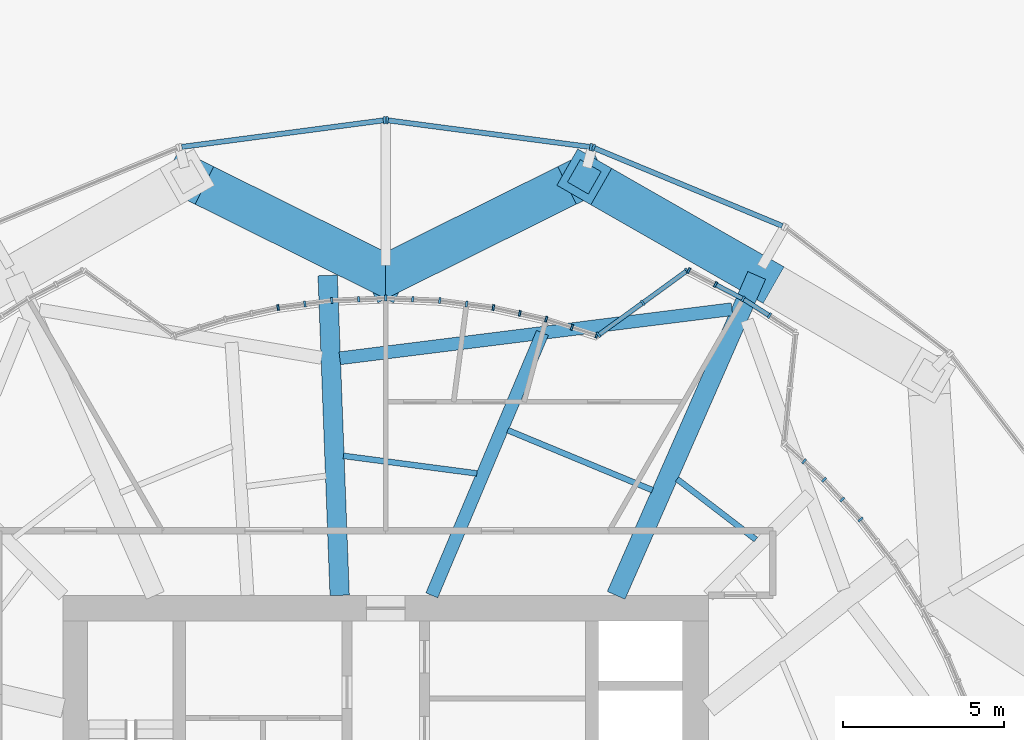
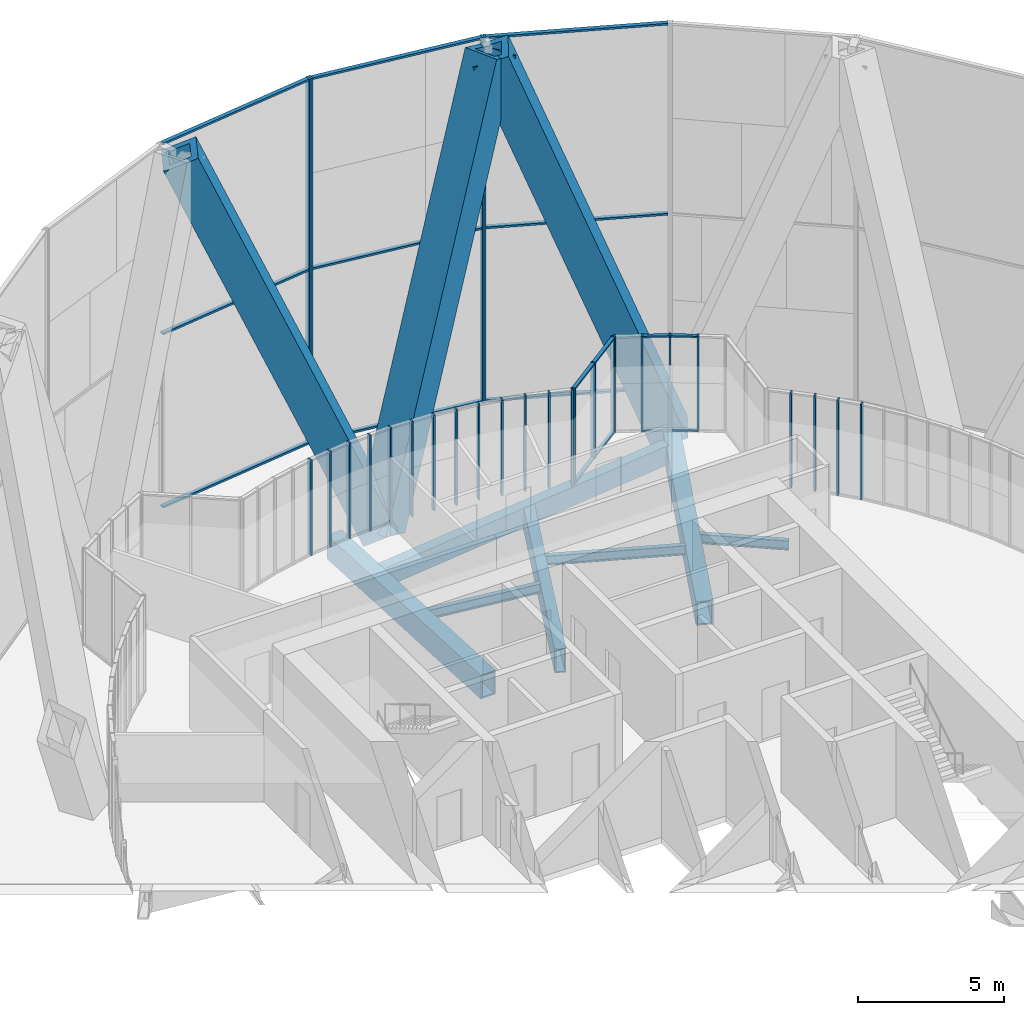
# One storey, part 9 of 27: 48 members, 7 beams, 15 elements without a shape of their own.
"""IFC4 building model written with IfcOpenShell, lengths in metres."""

import ifcopenshell
import ifcopenshell.guid

model = None  # the IFC model being written
_history = None  # IfcOwnerHistory: only IFC2X3 demands one
_inside = {}  # id of a spatial element -> (the spatial element, [elements in it])
_under = {}  # id of a project, library or spatial element -> (it, [spatial elements below it])
_declared = {}  # id of a project -> (the project, [libraries it declares])
_typed = {}  # id of a type object -> (the type object, [elements of that type])
_made_of = {}  # id of a material, layer set ... -> (it, [elements and type objects made of it])


def new_model(schema):
    """Start an empty IFC model of exactly this schema.

    Asked for "IFC4X3", IfcOpenShell would pick the latest addendum, in which some entities
    have other attributes; the version numbers below select the first issue.
    IFC2X3 requires an IfcOwnerHistory on every rooted entity: one is made here for all.
    """
    global model, _history
    if schema == "IFC4X3":
        model = ifcopenshell.file(schema_version=(4, 3, 0, 0))
    else:
        model = ifcopenshell.file(schema=schema)
    _inside.clear()
    _under.clear()
    _declared.clear()
    _typed.clear()
    _made_of.clear()
    _history = None
    if model.schema == "IFC2X3":
        org = make("IfcOrganization", Name="unknown")
        user = make(
            "IfcPersonAndOrganization",
            ThePerson=make("IfcPerson", FamilyName="unknown"),
            TheOrganization=org,
        )
        app = make(
            "IfcApplication",
            ApplicationDeveloper=org,
            Version="unknown",
            ApplicationFullName="unknown",
            ApplicationIdentifier="unknown",
        )
        _history = make(
            "IfcOwnerHistory",
            OwningUser=user,
            OwningApplication=app,
            ChangeAction="ADDED",
            CreationDate=0,
        )
    return model


def make(cls, **values):
    """One entity of the class cls with the attributes given. An attribute that is None is left unset."""
    return model.create_entity(
        cls, **{name: value for name, value in values.items() if value is not None}
    )


def rooted(cls, **values):
    """An entity with a GlobalId (a new one), such as an element, a storey or a relation."""
    return make(cls, GlobalId=ifcopenshell.guid.new(), OwnerHistory=_history, **values)


def si_unit(unit_type, name, prefix=None):
    """IfcSIUnit, for example si_unit("LENGTHUNIT", "METRE", prefix="MILLI")."""
    return make("IfcSIUnit", UnitType=unit_type, Prefix=prefix, Name=name)


def assignment(units):
    """IfcUnitAssignment: the units of a project."""
    return None if units is None else make("IfcUnitAssignment", Units=units)


def point(xyz):
    """IfcCartesianPoint."""
    return None if xyz is None else make("IfcCartesianPoint", Coordinates=xyz)


def direction(xyz):
    """IfcDirection."""
    return None if xyz is None else make("IfcDirection", DirectionRatios=xyz)


def frame(location, z_axis=None, x_axis=None):
    """IfcAxis2Placement3D, a coordinate frame: its origin and axes. An axis left out is left unset."""
    return make(
        "IfcAxis2Placement3D",
        Location=point(location),
        Axis=direction(z_axis),
        RefDirection=direction(x_axis),
    )


def frame_2d(location, x_axis=None):
    """IfcAxis2Placement2D, a coordinate frame in the plane: its origin and x axis."""
    return make(
        "IfcAxis2Placement2D", Location=point(location), RefDirection=direction(x_axis)
    )


def origin():
    """The frame at (0, 0, 0) with its axes left unset."""
    return frame((0.0, 0.0, 0.0))


def origin_2d():
    """The frame at (0, 0) in the plane with its x axis left unset."""
    return frame_2d((0.0, 0.0))


def place(relative_to, where):
    """IfcLocalPlacement: puts the frame where relative to a parent placement (None: the world)."""
    return make(
        "IfcLocalPlacement", PlacementRelTo=relative_to, RelativePlacement=where
    )


def context(
    kind, dimensions, precision=None, world=None, true_north=None, identifier=None
):
    """IfcGeometricRepresentationContext, for example the 3D "Model" context."""
    return make(
        "IfcGeometricRepresentationContext",
        ContextIdentifier=identifier,
        ContextType=kind,
        CoordinateSpaceDimension=dimensions,
        Precision=precision,
        WorldCoordinateSystem=world,
        TrueNorth=true_north,
    )


def subcontext(parent, identifier, kind, view, scale=None):
    """IfcGeometricRepresentationSubContext, for example "Body" below "Model"."""
    return make(
        "IfcGeometricRepresentationSubContext",
        ContextIdentifier=identifier,
        ContextType=kind,
        ParentContext=parent,
        TargetScale=scale,
        TargetView=view,
    )


def project(units=None, contexts=None):
    """IfcProject with its units and contexts."""
    return rooted(
        "IfcProject",
        Name="project",
        RepresentationContexts=contexts,
        UnitsInContext=assignment(units),
    )


def spatial(cls, under=None, at=None, **own):
    """A site, building, storey or space (cls), placed at a placement, below another one or the project."""
    s = rooted(cls, ObjectPlacement=at, **own)
    if under is not None:
        _under.setdefault(under.id(), (under, []))[1].append(s)
    return s


def profile(cls, at=None, kind="AREA", **sizes):
    """A parametric profile (cls). Its sizes go by their IFC names, for example OverallWidth=200.0."""
    return make(cls, ProfileType=kind, Position=at, **sizes)


def rectangle(**sizes):
    """IfcRectangleProfileDef."""
    return profile("IfcRectangleProfileDef", **sizes)


def hollow_rectangle(**sizes):
    """IfcRectangleHollowProfileDef."""
    return profile("IfcRectangleHollowProfileDef", **sizes)


def i_section(**sizes):
    """IfcIShapeProfileDef."""
    return profile("IfcIShapeProfileDef", **sizes)


def extrude(swept, where, along, depth):
    """IfcExtrudedAreaSolid: the profile swept, set in the frame where, extruded along a direction by depth."""
    return make(
        "IfcExtrudedAreaSolid",
        SweptArea=swept,
        Position=where,
        ExtrudedDirection=direction(along),
        Depth=depth,
    )


def shape(context_of_items, identifier, shape_type, items):
    """IfcShapeRepresentation: the items that make up one representation, for example the "Body"."""
    return make(
        "IfcShapeRepresentation",
        ContextOfItems=context_of_items,
        RepresentationIdentifier=identifier,
        RepresentationType=shape_type,
        Items=items,
    )


def material(Name=None, Category=None):
    """IfcMaterial."""
    return make("IfcMaterial", Name=Name, Category=Category)


def material_profile(
    of_material, cross_section, Name=None, Category=None, Priority=None
):
    """IfcMaterialProfile: a cross section and its material."""
    return make(
        "IfcMaterialProfile",
        Name=Name,
        Material=of_material,
        Profile=cross_section,
        Priority=Priority,
        Category=Category,
    )


def profile_set(profiles, Name=None, composite=None):
    """IfcMaterialProfileSet."""
    return make(
        "IfcMaterialProfileSet",
        Name=Name,
        MaterialProfiles=profiles,
        CompositeProfile=composite,
    )


def made_of(thing, what):
    """Note that an element or type object is made of a material, layer set ...; save() writes the relation."""
    if what is not None:
        _made_of.setdefault(what.id(), (what, []))[1].append(thing)
    return thing


def type_object(cls, material=None, **own):
    """A type object (cls), such as IfcWallType, which elements share."""
    return made_of(rooted(cls, **own), material)


def element(
    cls,
    number,
    at=None,
    inside=None,
    cuts=None,
    type_object=None,
    material=None,
    context=None,
    identifier="Body",
    shape_type=None,
    held_by="IfcProductDefinitionShape",
    body=None,
    shapes=None,
    **own,
):
    """One element of the class cls, such as IfcWall. Its Tag is "e" and its number.

    at: its placement. inside: the storey or other place that contains it. cuts: it is an
    opening in that element (IfcRelVoidsElement). A single representation is given by context,
    identifier, shape_type and body (its items); several are given by shapes. held_by: the class
    of the entity that holds the representations. save() writes the other relations.
    """
    e = rooted(cls, Tag="e%d" % number, ObjectPlacement=at, **own)
    if body is not None:
        shapes = [shape(context, identifier, shape_type, body)]
    if shapes is not None:
        e.Representation = make(held_by, Representations=shapes)
    if inside is not None:
        _inside.setdefault(inside.id(), (inside, []))[1].append(e)
    if cuts is not None:
        rooted(
            "IfcRelVoidsElement", RelatingBuildingElement=cuts, RelatedOpeningElement=e
        )
    if type_object is not None:
        _typed.setdefault(type_object.id(), (type_object, []))[1].append(e)
    return made_of(e, material)


def aggregate(whole, parts):
    """IfcRelAggregates: a whole, such as a stair, and the parts it consists of."""
    return rooted("IfcRelAggregates", RelatingObject=whole, RelatedObjects=parts)


def save(model, path):
    """Write the relations noted so far, then the file.

    IfcRelAggregates (storeys below a building ...), IfcRelContainedInSpatialStructure (elements
    in a storey), IfcRelDefinesByType, IfcRelAssociatesMaterial and IfcRelDeclares: one each for
    every whole, place, type object, material and project.
    """
    for whole, parts in _under.values():
        aggregate(whole, parts)
    for where, things in _inside.values():
        rooted(
            "IfcRelContainedInSpatialStructure",
            RelatedElements=things,
            RelatingStructure=where,
        )
    for kind, things in _typed.values():
        rooted("IfcRelDefinesByType", RelatedObjects=things, RelatingType=kind)
    for what, things in _made_of.values():
        rooted("IfcRelAssociatesMaterial", RelatedObjects=things, RelatingMaterial=what)
    for by, libraries in _declared.values():
        rooted("IfcRelDeclares", RelatingContext=by, RelatedDefinitions=libraries)
    model.write(path)


model = new_model("IFC4")

# Units and contexts
model_context = context("Model", 3, precision=1e-05, world=origin(), true_north=direction((0.0, 1.0)))
body_context = subcontext(model_context, "Body", "Model", "MODEL_VIEW")
ifc_project = project(units=[si_unit("LENGTHUNIT", "METRE"), si_unit("AREAUNIT", "SQUARE_METRE"), si_unit("VOLUMEUNIT", "CUBIC_METRE"), si_unit("PLANEANGLEUNIT", "RADIAN"), si_unit("MASSUNIT", "GRAM", prefix="KILO")], contexts=[model_context])

# Site, building, storey
site_placement = place(None, origin())
site = spatial("IfcSite", under=ifc_project, at=site_placement, CompositionType="ELEMENT")
building_placement = place(site_placement, origin())
building = spatial("IfcBuilding", under=site, at=building_placement, Name="Golbaran Civic Tower", CompositionType="ELEMENT")
storey_placement = place(building_placement, frame((0.0, 0.0, 21.0)))
storey = spatial("IfcBuildingStorey", under=building, at=storey_placement, Name="L04", CompositionType="ELEMENT", Elevation=21.0)

# Members
ifc_material_1 = material(Name="Steel S355", Category="steel")
ifc_material_profile_1 = material_profile(ifc_material_1, hollow_rectangle(XDim=1.300048828125, YDim=1.300048828125, WallThickness=0.25, at=origin_2d()), Name="BOX 1300x1300x250")
ifc_profile_set_1 = profile_set([ifc_material_profile_1], Name="Steel S355")
member_type_1 = type_object("IfcMemberType", Name="DIAGRID DIAGONAL BOX 1300x1300x250", PredefinedType="BRACE", material=ifc_profile_set_1)
member_1_placement = place(storey_placement, frame((11.5, 19.918701171875, -0.7099609375), z_axis=(-0.311722757157, 0.178255459424, 0.933302691444), x_axis=(-0.496407983578, -0.868089346692, 0.0)))
element("IfcMember", 1, at=member_1_placement, inside=storey, type_object=member_type_1, Name="Diagonal D00-02R L04-L08", PredefinedType="BRACE", context=body_context, shape_type="SweptSolid", body=[
    extrude(hollow_rectangle(XDim=1.300048828125, YDim=1.300048828125, WallThickness=0.25, at=origin_2d()), origin(), (0.0, 0.0, 1.0), 17.143310546875),
])
for number, where, z_axis, x_axis, name in (
    (2, (0.0, 19.918701171875, -0.7099609375), (-0.353516243024, 0.175489304538, 0.918819770091), (-0.444639890183, -0.895709421664, 0.0), "Diagonal D00-03R L04-L08"),
    (3, (0.0, 19.918701171875, -0.7099609375), (0.353516243024, 0.175489304538, 0.918819770091), (-0.444639890183, 0.895709421664, 0.0), "Diagonal D00-03L L04-L08"),
):
    element("IfcMember", number, at=place(storey_placement, frame(where, z_axis=z_axis, x_axis=x_axis)), inside=storey, type_object=member_type_1, Name=name, PredefinedType="BRACE", context=body_context, shape_type="SweptSolid", body=[
        extrude(hollow_rectangle(XDim=1.300048828125, YDim=1.300048828125, WallThickness=0.25, at=origin_2d()), origin(), (0.0, 0.0, 1.0), 17.41357421875),
    ])

# Beams
ifc_material_profile_2 = material_profile(ifc_material_1, hollow_rectangle(XDim=0.39990234375, YDim=0.800048828125, WallThickness=0.0400390625, at=origin_2d()), Name="BOX 800x400x40")
ifc_profile_set_2 = profile_set([ifc_material_profile_2], Name="Steel S355")
beam_type_1 = type_object("IfcBeamType", Name="EDGE BEAM BOX 800x400x40", PredefinedType="BEAM", material=ifc_profile_set_2)
beam_1_placement = place(storey_placement, frame((10.734375, 18.87158203125, -0.60009765625), z_axis=(-0.992257938652, -0.124194135055, 0.0), x_axis=(0.124194135055, -0.992257938652, 0.0)))
element("IfcBeam", 4, at=beam_1_placement, inside=storey, type_object=beam_type_1, Name="Edge beam 60.00 L04", PredefinedType="BEAM", context=body_context, shape_type="SweptSolid", body=[
    extrude(hollow_rectangle(XDim=0.39990234375, YDim=0.800048828125, WallThickness=0.0400390625, at=origin_2d()), origin(), (0.0, 0.0, 1.0), 12.2529296875),
])
ifc_material_profile_3 = material_profile(ifc_material_1, i_section(OverallWidth=0.179931640625, OverallDepth=0.39990234375, WebThickness=0.008544921875, FlangeThickness=0.013427734375, FilletRadius=0.02099609375, at=origin_2d()), Name="IPE 400")
ifc_profile_set_3 = profile_set([ifc_material_profile_3], Name="Steel S355")
beam_type_2 = type_object("IfcBeamType", Name="FLOOR INFILL BEAM IPE 400", PredefinedType="BEAM", material=ifc_profile_set_3)
beam_2_placement = place(storey_placement, frame((11.47509765625, 11.7294921875, -0.39990234375), z_axis=(-0.793339600956, 0.60877933404, 0.0), x_axis=(-0.60877933404, -0.793339600956, 0.0)))
element("IfcBeam", 5, at=beam_2_placement, inside=storey, type_object=beam_type_2, Name="Infill beam 52.50 L04", PredefinedType="BEAM", context=body_context, shape_type="SweptSolid", body=[
    extrude(i_section(OverallWidth=0.179931640625, OverallDepth=0.39990234375, WebThickness=0.008544921875, FlangeThickness=0.013427734375, FilletRadius=0.02099609375, at=origin_2d()), origin(), (0.0, 0.0, 1.0), 3.07958984375),
])
beam_3_placement = place(storey_placement, frame((8.269775390625, 13.261474609375, -0.39990234375), z_axis=(-0.92386916768, 0.382708454323, 0.0), x_axis=(-0.382708454323, -0.92386916768, 0.0)))
element("IfcBeam", 6, at=beam_3_placement, inside=storey, type_object=beam_type_2, Name="Infill beam 67.50 L04", PredefinedType="BEAM", context=body_context, shape_type="SweptSolid", body=[
    extrude(i_section(OverallWidth=0.179931640625, OverallDepth=0.39990234375, WebThickness=0.008544921875, FlangeThickness=0.013427734375, FilletRadius=0.02099609375, at=origin_2d()), origin(), (0.0, 0.0, 1.0), 4.8564453125),
])
beam_4_placement = place(storey_placement, frame((2.8271484375, 13.77978515625, -0.39990234375), z_axis=(-0.991445731061, 0.130519586121, 0.0), x_axis=(-0.130519586121, -0.991445731061, 0.0)))
element("IfcBeam", 7, at=beam_4_placement, inside=storey, type_object=beam_type_2, Name="Infill beam 82.50 L04", PredefinedType="BEAM", context=body_context, shape_type="SweptSolid", body=[
    extrude(i_section(OverallWidth=0.179931640625, OverallDepth=0.39990234375, WebThickness=0.008544921875, FlangeThickness=0.013427734375, FilletRadius=0.02099609375, at=origin_2d()), origin(), (0.0, 0.0, 1.0), 4.173095703125),
])

# Curtain wall, member
ifc_material_2 = material(Name="Aluminium and glass", Category="aluminium")
curtain_wall_type_1 = type_object("IfcCurtainWallType", Name="INNER SKIN CURTAIN WALL", PredefinedType="NOTDEFINED", material=ifc_material_2)
curtain_wall_1_placement = place(storey_placement, origin())
curtain_wall_1 = element("IfcCurtainWall", 8, at=curtain_wall_1_placement, inside=storey, type_object=curtain_wall_type_1, Name="Inner skin L04 facet 8 CW1", ObjectType="INNER SKIN", PredefinedType="USERDEFINED")
ifc_material_3 = material(Name="Aluminium", Category="aluminium")
ifc_material_profile_4 = material_profile(ifc_material_3, rectangle(XDim=0.179931640625, YDim=0.06494140625, at=origin_2d()), Name="INNER SKIN CURTAIN WALL MULLION")
ifc_profile_set_4 = profile_set([ifc_material_profile_4], Name="Aluminium")
member_type_2 = type_object("IfcMemberType", Name="INNER SKIN CURTAIN WALL MULLION", PredefinedType="MULLION", material=ifc_profile_set_4)
member_2_placement = place(storey_placement, frame((14.719482421875, 12.35107421875, 0.0), z_axis=(0.0, 0.0, 1.0), x_axis=(-0.766044443186, -0.642787609606, 0.0)))
member_2 = element("IfcMember", 9, at=member_2_placement, type_object=member_type_2, Name="CW1 mullion 3", PredefinedType="MULLION", context=body_context, shape_type="SweptSolid", body=[
    extrude(rectangle(XDim=0.179931640625, YDim=0.06494140625, at=origin_2d()), origin(), (0.0, 0.0, 1.0), 4.0),
])
aggregate(curtain_wall_1, [member_2])

# Curtain wall, members
curtain_wall_2_placement = place(storey_placement, origin())
curtain_wall_2 = element("IfcCurtainWall", 10, at=curtain_wall_2_placement, inside=storey, type_object=curtain_wall_type_1, Name="Inner skin L04 facet 9 CW1", ObjectType="INNER SKIN", PredefinedType="USERDEFINED")
member_3_placement = place(storey_placement, frame((14.1533203125, 12.968994140625, 0.0), z_axis=(0.0, 0.0, 1.0), x_axis=(-0.737277336421, -0.67559020804, 0.0)))
member_3 = element("IfcMember", 11, at=member_3_placement, type_object=member_type_2, Name="CW1 mullion 2", PredefinedType="MULLION", context=body_context, shape_type="SweptSolid", body=[
    extrude(rectangle(XDim=0.179931640625, YDim=0.06494140625, at=origin_2d()), origin(), (0.0, 0.0, 1.0), 4.0),
])
member_4_placement = place(storey_placement, frame((13.587158203125, 13.587158203125, 0.0), z_axis=(0.0, 0.0, 1.0), x_axis=(-0.707106781137, -0.707106781236, 0.0)))
member_4 = element("IfcMember", 12, at=member_4_placement, type_object=member_type_2, Name="CW1 mullion 3", PredefinedType="MULLION", context=body_context, shape_type="SweptSolid", body=[
    extrude(rectangle(XDim=0.179931640625, YDim=0.06494140625, at=origin_2d()), origin(), (0.0, 0.0, 1.0), 4.0),
])
aggregate(curtain_wall_2, [member_3, member_4])

# Curtain wall, member
curtain_wall_3_placement = place(storey_placement, origin())
curtain_wall_3 = element("IfcCurtainWall", 13, at=curtain_wall_3_placement, inside=storey, type_object=curtain_wall_type_1, Name="Inner skin L04 facet 10 CW1", ObjectType="INNER SKIN", PredefinedType="USERDEFINED")
member_5_placement = place(storey_placement, frame((12.968994140625, 14.1533203125, 0.0), z_axis=(0.0, 0.0, 1.0), x_axis=(-0.67559020804, -0.737277336421, 0.0)))
member_5 = element("IfcMember", 14, at=member_5_placement, type_object=member_type_2, Name="CW1 mullion 2", PredefinedType="MULLION", context=body_context, shape_type="SweptSolid", body=[
    extrude(rectangle(XDim=0.179931640625, YDim=0.06494140625, at=origin_2d()), origin(), (0.0, 0.0, 1.0), 4.0),
])
aggregate(curtain_wall_3, [member_5])

# Curtain wall, members
curtain_wall_4_placement = place(storey_placement, origin())
curtain_wall_4 = element("IfcCurtainWall", 15, at=curtain_wall_4_placement, inside=storey, type_object=curtain_wall_type_1, Name="Inner skin L04 facet 12 CW1", ObjectType="INNER SKIN", PredefinedType="USERDEFINED")
member_6_placement = place(storey_placement, frame((11.895263671875, 18.671875, 0.0), z_axis=(0.0, 0.0, 1.0), x_axis=(-0.53729960845, -0.843391445747, 0.0)))
member_6 = element("IfcMember", 16, at=member_6_placement, type_object=member_type_2, Name="CW1 mullion 2", PredefinedType="MULLION", context=body_context, shape_type="SweptSolid", body=[
    extrude(rectangle(XDim=0.179931640625, YDim=0.06494140625, at=origin_2d()), origin(), (0.0, 0.0, 1.0), 4.0),
])
member_7_placement = place(storey_placement, frame((11.080078125, 19.191162109375, 0.0), z_axis=(0.0, 0.0, 1.0), x_axis=(-0.50000000003, -0.866025403767, 0.0)))
member_7 = element("IfcMember", 17, at=member_7_placement, type_object=member_type_2, Name="CW1 mullion 3", PredefinedType="MULLION", context=body_context, shape_type="SweptSolid", body=[
    extrude(rectangle(XDim=0.179931640625, YDim=0.06494140625, at=origin_2d()), origin(), (0.0, 0.0, 1.0), 4.0),
])

curtain_wall_5_placement = place(storey_placement, origin())
curtain_wall_5 = element("IfcCurtainWall", 18, at=curtain_wall_5_placement, inside=storey, type_object=curtain_wall_type_1, Name="Inner skin L04 facet 13 CW1", ObjectType="INNER SKIN", PredefinedType="USERDEFINED")
member_8_placement = place(storey_placement, frame((10.22265625, 19.637451171875, 0.0), z_axis=(0.0, 0.0, 1.0), x_axis=(-0.461748613251, -0.88701083317, 0.0)))
member_8 = element("IfcMember", 19, at=member_8_placement, type_object=member_type_2, Name="CW1 mullion 2", PredefinedType="MULLION", context=body_context, shape_type="SweptSolid", body=[
    extrude(rectangle(XDim=0.179931640625, YDim=0.06494140625, at=origin_2d()), origin(), (0.0, 0.0, 1.0), 4.0),
])
member_9_placement = place(storey_placement, frame((9.39404296875, 20.06884765625, 0.0), z_axis=(0.0, 0.0, 1.0), x_axis=(-0.461748613251, -0.88701083317, 0.0)))
member_9 = element("IfcMember", 20, at=member_9_placement, type_object=member_type_2, Name="CW1 mullion 3", PredefinedType="MULLION", context=body_context, shape_type="SweptSolid", body=[
    extrude(rectangle(XDim=0.179931640625, YDim=0.06494140625, at=origin_2d()), origin(), (0.0, 0.0, 1.0), 4.0),
])

curtain_wall_6_placement = place(storey_placement, origin())
curtain_wall_6 = element("IfcCurtainWall", 21, at=curtain_wall_6_placement, inside=storey, type_object=curtain_wall_type_1, Name="Inner skin L04 facet 14 CW1", ObjectType="INNER SKIN", PredefinedType="USERDEFINED")
member_10_placement = place(storey_placement, frame((9.3388671875, 20.064697265625, 0.0), z_axis=(0.0, 0.0, 1.0), x_axis=(0.587431163679, -0.809274136458, 0.0)))
member_10 = element("IfcMember", 22, at=member_10_placement, type_object=member_type_2, Name="CW1 mullion 1", PredefinedType="MULLION", context=body_context, shape_type="SweptSolid", body=[
    extrude(rectangle(XDim=0.179931640625, YDim=0.06494140625, at=origin_2d()), origin(), (0.0, 0.0, 1.0), 4.0),
])
member_11_placement = place(storey_placement, frame((7.968505859375, 19.070068359375, 0.0), z_axis=(0.0, 0.0, 1.0), x_axis=(0.587431163679, -0.809274136458, 0.0)))
member_11 = element("IfcMember", 23, at=member_11_placement, type_object=member_type_2, Name="CW1 mullion 2", PredefinedType="MULLION", context=body_context, shape_type="SweptSolid", body=[
    extrude(rectangle(XDim=0.179931640625, YDim=0.06494140625, at=origin_2d()), origin(), (0.0, 0.0, 1.0), 4.0),
])
member_12_placement = place(storey_placement, frame((6.59814453125, 18.0751953125, 0.0), z_axis=(0.0, 0.0, 1.0), x_axis=(0.587431163679, -0.809274136458, 0.0)))
member_12 = element("IfcMember", 24, at=member_12_placement, type_object=member_type_2, Name="CW1 mullion 3", PredefinedType="MULLION", context=body_context, shape_type="SweptSolid", body=[
    extrude(rectangle(XDim=0.179931640625, YDim=0.06494140625, at=origin_2d()), origin(), (0.0, 0.0, 1.0), 4.0),
])

curtain_wall_7_placement = place(storey_placement, origin())
curtain_wall_7 = element("IfcCurtainWall", 25, at=curtain_wall_7_placement, inside=storey, type_object=curtain_wall_type_1, Name="Inner skin L04 facet 15 CW1", ObjectType="INNER SKIN", PredefinedType="USERDEFINED")
member_13_placement = place(storey_placement, frame((6.541015625, 18.06591796875, 0.0), z_axis=(0.0, 0.0, 1.0), x_axis=(-0.300705799704, -0.953716950685, 0.0)))
member_13 = element("IfcMember", 26, at=member_13_placement, type_object=member_type_2, Name="CW1 mullion 1", PredefinedType="MULLION", context=body_context, shape_type="SweptSolid", body=[
    extrude(rectangle(XDim=0.179931640625, YDim=0.06494140625, at=origin_2d()), origin(), (0.0, 0.0, 1.0), 4.0),
])
member_14_placement = place(storey_placement, frame((5.7724609375, 18.308349609375, 0.0), z_axis=(0.0, 0.0, 1.0), x_axis=(-0.300705799704, -0.953716950685, 0.0)))
member_14 = element("IfcMember", 27, at=member_14_placement, type_object=member_type_2, Name="CW1 mullion 2", PredefinedType="MULLION", context=body_context, shape_type="SweptSolid", body=[
    extrude(rectangle(XDim=0.179931640625, YDim=0.06494140625, at=origin_2d()), origin(), (0.0, 0.0, 1.0), 4.0),
])
member_15_placement = place(storey_placement, frame((4.97314453125, 18.560302734375, 0.0), z_axis=(0.0, 0.0, 1.0), x_axis=(-0.258819045221, -0.965925826257, 0.0)))
member_15 = element("IfcMember", 28, at=member_15_placement, type_object=member_type_2, Name="CW1 mullion 3", PredefinedType="MULLION", context=body_context, shape_type="SweptSolid", body=[
    extrude(rectangle(XDim=0.179931640625, YDim=0.06494140625, at=origin_2d()), origin(), (0.0, 0.0, 1.0), 4.0),
])
aggregate(curtain_wall_7, [member_13, member_14, member_15])

curtain_wall_8_placement = place(storey_placement, origin())
curtain_wall_8 = element("IfcCurtainWall", 29, at=curtain_wall_8_placement, inside=storey, type_object=curtain_wall_type_1, Name="Inner skin L04 facet 16 CW1", ObjectType="INNER SKIN", PredefinedType="USERDEFINED")
member_16_placement = place(storey_placement, frame((4.155029296875, 18.74169921875, 0.0), z_axis=(0.0, 0.0, 1.0), x_axis=(-0.216439613921, -0.976296007124, 0.0)))
member_16 = element("IfcMember", 30, at=member_16_placement, type_object=member_type_2, Name="CW1 mullion 2", PredefinedType="MULLION", context=body_context, shape_type="SweptSolid", body=[
    extrude(rectangle(XDim=0.179931640625, YDim=0.06494140625, at=origin_2d()), origin(), (0.0, 0.0, 1.0), 4.0),
])
member_17_placement = place(storey_placement, frame((3.336669921875, 18.923095703125, 0.0), z_axis=(0.0, 0.0, 1.0), x_axis=(-0.173648177684, -0.984807753009, 0.0)))
member_17 = element("IfcMember", 31, at=member_17_placement, type_object=member_type_2, Name="CW1 mullion 3", PredefinedType="MULLION", context=body_context, shape_type="SweptSolid", body=[
    extrude(rectangle(XDim=0.179931640625, YDim=0.06494140625, at=origin_2d()), origin(), (0.0, 0.0, 1.0), 4.0),
])
aggregate(curtain_wall_8, [member_16, member_17])

curtain_wall_9_placement = place(storey_placement, origin())
curtain_wall_9 = element("IfcCurtainWall", 32, at=curtain_wall_9_placement, inside=storey, type_object=curtain_wall_type_1, Name="Inner skin L04 facet 17 CW1", ObjectType="INNER SKIN", PredefinedType="USERDEFINED")
member_18_placement = place(storey_placement, frame((2.505615234375, 19.032470703125, 0.0), z_axis=(0.0, 0.0, 1.0), x_axis=(-0.130526192393, -0.991444861351, 0.0)))
member_18 = element("IfcMember", 33, at=member_18_placement, type_object=member_type_2, Name="CW1 mullion 2", PredefinedType="MULLION", context=body_context, shape_type="SweptSolid", body=[
    extrude(rectangle(XDim=0.179931640625, YDim=0.06494140625, at=origin_2d()), origin(), (0.0, 0.0, 1.0), 4.0),
])
member_19_placement = place(storey_placement, frame((1.6748046875, 19.141845703125, 0.0), z_axis=(0.0, 0.0, 1.0), x_axis=(-0.087155742782, -0.996194698089, 0.0)))
member_19 = element("IfcMember", 34, at=member_19_placement, type_object=member_type_2, Name="CW1 mullion 3", PredefinedType="MULLION", context=body_context, shape_type="SweptSolid", body=[
    extrude(rectangle(XDim=0.179931640625, YDim=0.06494140625, at=origin_2d()), origin(), (0.0, 0.0, 1.0), 4.0),
])
aggregate(curtain_wall_9, [member_18, member_19])

curtain_wall_10_placement = place(storey_placement, origin())
curtain_wall_10 = element("IfcCurtainWall", 35, at=curtain_wall_10_placement, inside=storey, type_object=curtain_wall_type_1, Name="Inner skin L04 facet 18 CW1", ObjectType="INNER SKIN", PredefinedType="USERDEFINED")
member_20_placement = place(storey_placement, frame((0.83740234375, 19.178466796875, 0.0), z_axis=(0.0, 0.0, 1.0), x_axis=(-0.043619387261, -0.999048221586, 0.0)))
member_20 = element("IfcMember", 36, at=member_20_placement, type_object=member_type_2, Name="CW1 mullion 2", PredefinedType="MULLION", context=body_context, shape_type="SweptSolid", body=[
    extrude(rectangle(XDim=0.179931640625, YDim=0.06494140625, at=origin_2d()), origin(), (0.0, 0.0, 1.0), 4.0),
])
member_21_placement = place(storey_placement, frame((0.0, 19.215087890625, 0.0), z_axis=(0.0, 0.0, 1.0), x_axis=(5.2e-11, -1.0, 0.0)))
member_21 = element("IfcMember", 37, at=member_21_placement, type_object=member_type_2, Name="CW1 mullion 3", PredefinedType="MULLION", context=body_context, shape_type="SweptSolid", body=[
    extrude(rectangle(XDim=0.179931640625, YDim=0.06494140625, at=origin_2d()), origin(), (0.0, 0.0, 1.0), 4.0),
])
aggregate(curtain_wall_10, [member_20, member_21])

curtain_wall_11_placement = place(storey_placement, origin())
curtain_wall_11 = element("IfcCurtainWall", 38, at=curtain_wall_11_placement, inside=storey, type_object=curtain_wall_type_1, Name="Inner skin L04 facet 19 CW1", ObjectType="INNER SKIN", PredefinedType="USERDEFINED")
member_22_placement = place(storey_placement, frame((-0.83740234375, 19.178466796875, 0.0), z_axis=(0.0, 0.0, 1.0), x_axis=(0.043619387261, -0.999048221586, 0.0)))
member_22 = element("IfcMember", 39, at=member_22_placement, type_object=member_type_2, Name="CW1 mullion 2", PredefinedType="MULLION", context=body_context, shape_type="SweptSolid", body=[
    extrude(rectangle(XDim=0.179931640625, YDim=0.06494140625, at=origin_2d()), origin(), (0.0, 0.0, 1.0), 4.0),
])
member_23_placement = place(storey_placement, frame((-1.6748046875, 19.141845703125, 0.0), z_axis=(0.0, 0.0, 1.0), x_axis=(0.087155742748, -0.996194698092, 0.0)))
member_23 = element("IfcMember", 40, at=member_23_placement, type_object=member_type_2, Name="CW1 mullion 3", PredefinedType="MULLION", context=body_context, shape_type="SweptSolid", body=[
    extrude(rectangle(XDim=0.179931640625, YDim=0.06494140625, at=origin_2d()), origin(), (0.0, 0.0, 1.0), 4.0),
])
aggregate(curtain_wall_11, [member_22, member_23])

curtain_wall_12_placement = place(storey_placement, origin())
curtain_wall_12 = element("IfcCurtainWall", 41, at=curtain_wall_12_placement, inside=storey, type_object=curtain_wall_type_1, Name="Inner skin L04 facet 20 CW1", ObjectType="INNER SKIN", PredefinedType="USERDEFINED")
member_24_placement = place(storey_placement, frame((-2.505615234375, 19.032470703125, 0.0), z_axis=(0.0, 0.0, 1.0), x_axis=(0.130526192393, -0.991444861351, 0.0)))
member_24 = element("IfcMember", 42, at=member_24_placement, type_object=member_type_2, Name="CW1 mullion 2", PredefinedType="MULLION", context=body_context, shape_type="SweptSolid", body=[
    extrude(rectangle(XDim=0.179931640625, YDim=0.06494140625, at=origin_2d()), origin(), (0.0, 0.0, 1.0), 4.0),
])
member_25_placement = place(storey_placement, frame((-3.336669921875, 18.923095703125, 0.0), z_axis=(0.0, 0.0, 1.0), x_axis=(0.173648177718, -0.984807753003, 0.0)))
member_25 = element("IfcMember", 43, at=member_25_placement, type_object=member_type_2, Name="CW1 mullion 3", PredefinedType="MULLION", context=body_context, shape_type="SweptSolid", body=[
    extrude(rectangle(XDim=0.179931640625, YDim=0.06494140625, at=origin_2d()), origin(), (0.0, 0.0, 1.0), 4.0),
])
aggregate(curtain_wall_12, [member_24, member_25])

# Member
ifc_material_profile_5 = material_profile(ifc_material_3, rectangle(XDim=0.139892578125, YDim=0.06494140625, at=origin_2d()), Name="INNER SKIN CURTAIN WALL TRANSOM")
ifc_profile_set_5 = profile_set([ifc_material_profile_5], Name="Aluminium")
member_type_3 = type_object("IfcMemberType", Name="INNER SKIN CURTAIN WALL TRANSOM", PredefinedType="USERDEFINED", material=ifc_profile_set_5)
member_26_placement = place(storey_placement, frame((11.867919921875, 18.689208984375, 0.032470703125), z_axis=(-0.843449584092, 0.537208338632, 0.0), x_axis=(-0.537208338632, -0.843449584092, 0.0)))
member_26 = element("IfcMember", 44, at=member_26_placement, type_object=member_type_3, Name="CW1 transom 2.1", ObjectType="TRANSOM", PredefinedType="USERDEFINED", context=body_context, shape_type="SweptSolid", body=[
    extrude(rectangle(XDim=0.139892578125, YDim=0.06494140625, at=origin_2d()), origin(), (0.0, 0.0, 1.0), 0.901611328125),
])

member_27_placement = place(storey_placement, frame((11.867919921875, 18.689208984375, 3.967529296875), z_axis=(-0.843449584092, 0.537208338632, 0.0), x_axis=(-0.537208338632, -0.843449584092, 0.0)))
member_27 = element("IfcMember", 45, at=member_27_placement, type_object=member_type_3, Name="CW1 transom 2.2", ObjectType="TRANSOM", PredefinedType="USERDEFINED", context=body_context, shape_type="SweptSolid", body=[
    extrude(rectangle(XDim=0.139892578125, YDim=0.06494140625, at=origin_2d()), origin(), (0.0, 0.0, 1.0), 0.901611328125),
])

aggregate(curtain_wall_4, [member_6, member_7, member_26, member_27])

member_28_placement = place(storey_placement, frame((11.05126953125, 19.2060546875, 0.032470703125), z_axis=(-0.886941812776, 0.461881176006, 0.0), x_axis=(-0.461881176006, -0.886941812776, 0.0)))
member_28 = element("IfcMember", 46, at=member_28_placement, type_object=member_type_3, Name="CW1 transom 1.1", ObjectType="TRANSOM", PredefinedType="USERDEFINED", context=body_context, shape_type="SweptSolid", body=[
    extrude(rectangle(XDim=0.139892578125, YDim=0.06494140625, at=origin_2d()), origin(), (0.0, 0.0, 1.0), 0.90185546875),
])

member_29_placement = place(storey_placement, frame((11.05126953125, 19.2060546875, 3.967529296875), z_axis=(-0.886941812776, 0.461881176006, 0.0), x_axis=(-0.461881176006, -0.886941812776, 0.0)))
member_29 = element("IfcMember", 47, at=member_29_placement, type_object=member_type_3, Name="CW1 transom 1.2", ObjectType="TRANSOM", PredefinedType="USERDEFINED", context=body_context, shape_type="SweptSolid", body=[
    extrude(rectangle(XDim=0.139892578125, YDim=0.06494140625, at=origin_2d()), origin(), (0.0, 0.0, 1.0), 0.90185546875),
])

aggregate(curtain_wall_5, [member_8, member_9, member_28, member_29])

member_30_placement = place(storey_placement, frame((9.3125, 20.045654296875, 0.032470703125), z_axis=(-0.809241538487, -0.58747606963, 0.0), x_axis=(0.58747606963, -0.809241538487, 0.0)))
member_30 = element("IfcMember", 48, at=member_30_placement, type_object=member_type_3, Name="CW1 transom 1.1", ObjectType="TRANSOM", PredefinedType="USERDEFINED", context=body_context, shape_type="SweptSolid", body=[
    extrude(rectangle(XDim=0.139892578125, YDim=0.06494140625, at=origin_2d()), origin(), (0.0, 0.0, 1.0), 1.628173828125),
])

member_31_placement = place(storey_placement, frame((9.3125, 20.045654296875, 3.967529296875), z_axis=(-0.809241538487, -0.58747606963, 0.0), x_axis=(0.58747606963, -0.809241538487, 0.0)))
member_31 = element("IfcMember", 49, at=member_31_placement, type_object=member_type_3, Name="CW1 transom 1.2", ObjectType="TRANSOM", PredefinedType="USERDEFINED", context=body_context, shape_type="SweptSolid", body=[
    extrude(rectangle(XDim=0.139892578125, YDim=0.06494140625, at=origin_2d()), origin(), (0.0, 0.0, 1.0), 1.628173828125),
])

member_32_placement = place(storey_placement, frame((7.9423828125, 19.05078125, 0.032470703125), z_axis=(-0.809364550476, -0.587306584701, 0.0), x_axis=(0.587306584701, -0.809364550476, 0.0)))
member_32 = element("IfcMember", 50, at=member_32_placement, type_object=member_type_3, Name="CW1 transom 2.1", ObjectType="TRANSOM", PredefinedType="USERDEFINED", context=body_context, shape_type="SweptSolid", body=[
    extrude(rectangle(XDim=0.139892578125, YDim=0.06494140625, at=origin_2d()), origin(), (0.0, 0.0, 1.0), 1.628173828125),
])

member_33_placement = place(storey_placement, frame((7.9423828125, 19.05078125, 3.967529296875), z_axis=(-0.809364550476, -0.587306584701, 0.0), x_axis=(0.587306584701, -0.809364550476, 0.0)))
member_33 = element("IfcMember", 51, at=member_33_placement, type_object=member_type_3, Name="CW1 transom 2.2", ObjectType="TRANSOM", PredefinedType="USERDEFINED", context=body_context, shape_type="SweptSolid", body=[
    extrude(rectangle(XDim=0.139892578125, YDim=0.06494140625, at=origin_2d()), origin(), (0.0, 0.0, 1.0), 1.628173828125),
])

aggregate(curtain_wall_6, [member_10, member_11, member_12, member_30, member_31, member_32, member_33])

# Curtain wall, member
curtain_wall_type_2 = type_object("IfcCurtainWallType", Name="OUTER SKIN TERRACOTTA SCREEN", PredefinedType="NOTDEFINED", material=ifc_material_2)
curtain_wall_13_placement = place(storey_placement, origin())
curtain_wall_13 = element("IfcCurtainWall", 52, at=curtain_wall_13_placement, inside=storey, type_object=curtain_wall_type_2, Name="Outer skin L04 facet 5 CW3", ObjectType="OUTER SKIN", PredefinedType="USERDEFINED")
ifc_material_profile_6 = material_profile(ifc_material_3, rectangle(XDim=0.219970703125, YDim=0.080078125, at=origin_2d()), Name="OUTER SKIN TERRACOTTA SCREEN MULLION")
ifc_profile_set_6 = profile_set([ifc_material_profile_6], Name="Aluminium")
member_type_4 = type_object("IfcMemberType", Name="OUTER SKIN TERRACOTTA SCREEN MULLION", PredefinedType="MULLION", material=ifc_profile_set_6)
member_34_placement = place(storey_placement, frame((6.43896484375, 23.876953125, 0.0), z_axis=(0.0, 0.0, 1.0), x_axis=(-0.382683432301, -0.923879532538, 0.0)))
member_34 = element("IfcMember", 53, at=member_34_placement, type_object=member_type_4, Name="CW3 mullion 2", PredefinedType="MULLION", context=body_context, shape_type="SweptSolid", body=[
    extrude(rectangle(XDim=0.219970703125, YDim=0.080078125, at=origin_2d()), origin(), (0.0, 0.0, 1.0), 15.2900390625),
])

# Curtain wall, members
curtain_wall_14_placement = place(storey_placement, origin())
curtain_wall_14 = element("IfcCurtainWall", 54, at=curtain_wall_14_placement, inside=storey, type_object=curtain_wall_type_2, Name="Outer skin L04 facet 6 CW3", ObjectType="OUTER SKIN", PredefinedType="USERDEFINED")
member_35_placement = place(storey_placement, frame((6.3623046875, 23.8974609375, 0.0), z_axis=(0.0, 0.0, 1.0), x_axis=(-0.130526192255, -0.991444861369, 0.0)))
member_35 = element("IfcMember", 55, at=member_35_placement, type_object=member_type_4, Name="CW3 mullion 1", PredefinedType="MULLION", context=body_context, shape_type="SweptSolid", body=[
    extrude(rectangle(XDim=0.219970703125, YDim=0.080078125, at=origin_2d()), origin(), (0.0, 0.0, 1.0), 15.2900390625),
])
member_36_placement = place(storey_placement, frame((0.03955078125, 24.729736328125, 0.0), z_axis=(0.0, 0.0, 1.0), x_axis=(-0.130526192255, -0.991444861369, 0.0)))
member_36 = element("IfcMember", 56, at=member_36_placement, type_object=member_type_4, Name="CW3 mullion 2", PredefinedType="MULLION", context=body_context, shape_type="SweptSolid", body=[
    extrude(rectangle(XDim=0.219970703125, YDim=0.080078125, at=origin_2d()), origin(), (0.0, 0.0, 1.0), 15.2900390625),
])

# Curtain wall, member
curtain_wall_15_placement = place(storey_placement, origin())
curtain_wall_15 = element("IfcCurtainWall", 57, at=curtain_wall_15_placement, inside=storey, type_object=curtain_wall_type_2, Name="Outer skin L04 facet 7 CW3", ObjectType="OUTER SKIN", PredefinedType="USERDEFINED")
member_37_placement = place(storey_placement, frame((-0.03955078125, 24.729736328125, 0.0), z_axis=(0.0, 0.0, 1.0), x_axis=(0.130526192255, -0.991444861369, 0.0)))
member_37 = element("IfcMember", 58, at=member_37_placement, type_object=member_type_4, Name="CW3 mullion 1", PredefinedType="MULLION", context=body_context, shape_type="SweptSolid", body=[
    extrude(rectangle(XDim=0.219970703125, YDim=0.080078125, at=origin_2d()), origin(), (0.0, 0.0, 1.0), 15.2900390625),
])

# Member
ifc_material_profile_7 = material_profile(ifc_material_3, rectangle(XDim=0.159912109375, YDim=0.080078125, at=origin_2d()), Name="OUTER SKIN TERRACOTTA SCREEN TRANSOM")
ifc_profile_set_7 = profile_set([ifc_material_profile_7], Name="Aluminium")
member_type_5 = type_object("IfcMemberType", Name="OUTER SKIN TERRACOTTA SCREEN TRANSOM", PredefinedType="USERDEFINED", material=ifc_profile_set_7)
member_38_placement = place(storey_placement, frame((12.293701171875, 21.45166015625, 0.0400390625), z_axis=(-0.923875546328, 0.38269305572, 0.0), x_axis=(-0.38269305572, -0.923875546328, 0.0)))
member_38 = element("IfcMember", 59, at=member_38_placement, type_object=member_type_5, Name="CW3 transom 1.1", ObjectType="TRANSOM", PredefinedType="USERDEFINED", context=body_context, shape_type="SweptSolid", body=[
    extrude(rectangle(XDim=0.159912109375, YDim=0.080078125, at=origin_2d()), origin(), (0.0, 0.0, 1.0), 6.29736328125),
])

member_39_placement = place(storey_placement, frame((12.293701171875, 21.45166015625, 7.2900390625), z_axis=(-0.923875546328, 0.38269305572, 0.0), x_axis=(-0.38269305572, -0.923875546328, 0.0)))
member_39 = element("IfcMember", 60, at=member_39_placement, type_object=member_type_5, Name="CW3 transom 1.2", ObjectType="TRANSOM", PredefinedType="USERDEFINED", context=body_context, shape_type="SweptSolid", body=[
    extrude(rectangle(XDim=0.159912109375, YDim=0.080078125, at=origin_2d()), origin(), (0.0, 0.0, 1.0), 6.29736328125),
])

member_40_placement = place(storey_placement, frame((12.293701171875, 21.45166015625, 15.25), z_axis=(-0.923875546328, 0.38269305572, 0.0), x_axis=(-0.38269305572, -0.923875546328, 0.0)))
member_40 = element("IfcMember", 61, at=member_40_placement, type_object=member_type_5, Name="CW3 transom 1.3", ObjectType="TRANSOM", PredefinedType="USERDEFINED", context=body_context, shape_type="SweptSolid", body=[
    extrude(rectangle(XDim=0.159912109375, YDim=0.080078125, at=origin_2d()), origin(), (0.0, 0.0, 1.0), 6.29736328125),
])

aggregate(curtain_wall_13, [member_34, member_38, member_39, member_40])

member_41_placement = place(storey_placement, frame((6.322509765625, 23.902587890625, 0.0400390625), z_axis=(-0.991442942997, 0.130540762908, 0.0), x_axis=(-0.130540762908, -0.991442942997, 0.0)))
member_41 = element("IfcMember", 62, at=member_41_placement, type_object=member_type_5, Name="CW3 transom 1.1", ObjectType="TRANSOM", PredefinedType="USERDEFINED", context=body_context, shape_type="SweptSolid", body=[
    extrude(rectangle(XDim=0.159912109375, YDim=0.080078125, at=origin_2d()), origin(), (0.0, 0.0, 1.0), 6.297119140625),
])

member_42_placement = place(storey_placement, frame((6.322509765625, 23.902587890625, 7.2900390625), z_axis=(-0.991442942997, 0.130540762908, 0.0), x_axis=(-0.130540762908, -0.991442942997, 0.0)))
member_42 = element("IfcMember", 63, at=member_42_placement, type_object=member_type_5, Name="CW3 transom 1.2", ObjectType="TRANSOM", PredefinedType="USERDEFINED", context=body_context, shape_type="SweptSolid", body=[
    extrude(rectangle(XDim=0.159912109375, YDim=0.080078125, at=origin_2d()), origin(), (0.0, 0.0, 1.0), 6.297119140625),
])

member_43_placement = place(storey_placement, frame((6.322509765625, 23.902587890625, 15.25), z_axis=(-0.991442942997, 0.130540762908, 0.0), x_axis=(-0.130540762908, -0.991442942997, 0.0)))
member_43 = element("IfcMember", 64, at=member_43_placement, type_object=member_type_5, Name="CW3 transom 1.3", ObjectType="TRANSOM", PredefinedType="USERDEFINED", context=body_context, shape_type="SweptSolid", body=[
    extrude(rectangle(XDim=0.159912109375, YDim=0.080078125, at=origin_2d()), origin(), (0.0, 0.0, 1.0), 6.297119140625),
])

aggregate(curtain_wall_14, [member_35, member_36, member_41, member_42, member_43])

member_44_placement = place(storey_placement, frame((-0.079345703125, 24.724609375, 0.0400390625), z_axis=(-0.991442942997, -0.130540762908, 0.0), x_axis=(0.130540762908, -0.991442942997, 0.0)))
member_44 = element("IfcMember", 65, at=member_44_placement, type_object=member_type_5, Name="CW3 transom 1.1", ObjectType="TRANSOM", PredefinedType="USERDEFINED", context=body_context, shape_type="SweptSolid", body=[
    extrude(rectangle(XDim=0.159912109375, YDim=0.080078125, at=origin_2d()), origin(), (0.0, 0.0, 1.0), 6.297119140625),
])

member_45_placement = place(storey_placement, frame((-0.079345703125, 24.724609375, 7.2900390625), z_axis=(-0.991442942997, -0.130540762908, 0.0), x_axis=(0.130540762908, -0.991442942997, 0.0)))
member_45 = element("IfcMember", 66, at=member_45_placement, type_object=member_type_5, Name="CW3 transom 1.2", ObjectType="TRANSOM", PredefinedType="USERDEFINED", context=body_context, shape_type="SweptSolid", body=[
    extrude(rectangle(XDim=0.159912109375, YDim=0.080078125, at=origin_2d()), origin(), (0.0, 0.0, 1.0), 6.297119140625),
])

member_46_placement = place(storey_placement, frame((-0.079345703125, 24.724609375, 15.25), z_axis=(-0.991442942997, -0.130540762908, 0.0), x_axis=(0.130540762908, -0.991442942997, 0.0)))
member_46 = element("IfcMember", 67, at=member_46_placement, type_object=member_type_5, Name="CW3 transom 1.3", ObjectType="TRANSOM", PredefinedType="USERDEFINED", context=body_context, shape_type="SweptSolid", body=[
    extrude(rectangle(XDim=0.159912109375, YDim=0.080078125, at=origin_2d()), origin(), (0.0, 0.0, 1.0), 6.297119140625),
])

aggregate(curtain_wall_15, [member_37, member_44, member_45, member_46])

# Beams
ifc_material_profile_8 = material_profile(ifc_material_1, hollow_rectangle(XDim=0.60009765625, YDim=1.0, WallThickness=0.06005859375, at=origin_2d()), Name="BOX 1000x600x60")
ifc_profile_set_8 = profile_set([ifc_material_profile_8], Name="Steel S355")
beam_type_3 = type_object("IfcBeamType", Name="RADIAL FLOOR BEAM BOX 1000x600x60", PredefinedType="BEAM", material=ifc_profile_set_8)
beam_5_placement = place(storey_placement, frame((7.142822265625, 10.0, -0.7099609375), z_axis=(0.402193277378, 0.9155547868, 0.0), x_axis=(-0.9155547868, 0.402193277378, 0.0)))
element("IfcBeam", 68, at=beam_5_placement, inside=storey, type_object=beam_type_3, Name="Radial beam 60.00 L04", PredefinedType="BEAM", context=body_context, shape_type="SweptSolid", body=[
    extrude(hollow_rectangle(XDim=0.60009765625, YDim=1.0, WallThickness=0.06005859375, at=origin_2d()), origin(), (0.0, 0.0, 1.0), 10.83349609375),
])
beam_6_placement = place(storey_placement, frame((-1.428466796875, 10.0, -0.7099609375), z_axis=(-0.037436509967, 0.999299008166, 0.0), x_axis=(-0.999299008166, -0.037436509967, 0.0)))
element("IfcBeam", 69, at=beam_6_placement, inside=storey, type_object=beam_type_3, Name="Radial beam 90.00 L04", PredefinedType="BEAM", context=body_context, shape_type="SweptSolid", body=[
    extrude(hollow_rectangle(XDim=0.60009765625, YDim=1.0, WallThickness=0.06005859375, at=origin_2d()), origin(), (0.0, 0.0, 1.0), 9.925537109375),
])
ifc_material_profile_9 = material_profile(ifc_material_1, hollow_rectangle(XDim=0.39990234375, YDim=1.0, WallThickness=0.050048828125, at=origin_2d()), Name="BOX 1000x400x50")
ifc_profile_set_9 = profile_set([ifc_material_profile_9], Name="Steel S355")
beam_type_4 = type_object("IfcBeamType", Name="SECONDARY FLOOR BEAM BOX 1000x400x50", PredefinedType="BEAM", material=ifc_profile_set_9)
beam_7_placement = place(storey_placement, frame((1.428466796875, 10.0, -0.7099609375), z_axis=(0.388573610342, 0.92141768452, 0.0), x_axis=(-0.92141768452, 0.388573610342, 0.0)))
element("IfcBeam", 70, at=beam_7_placement, inside=storey, type_object=beam_type_4, Name="Secondary beam 75.00 L04", PredefinedType="BEAM", context=body_context, shape_type="SweptSolid", body=[
    extrude(hollow_rectangle(XDim=0.39990234375, YDim=1.0, WallThickness=0.050048828125, at=origin_2d()), origin(), (0.0, 0.0, 1.0), 8.830078125),
])

save(model, "model.ifc")
